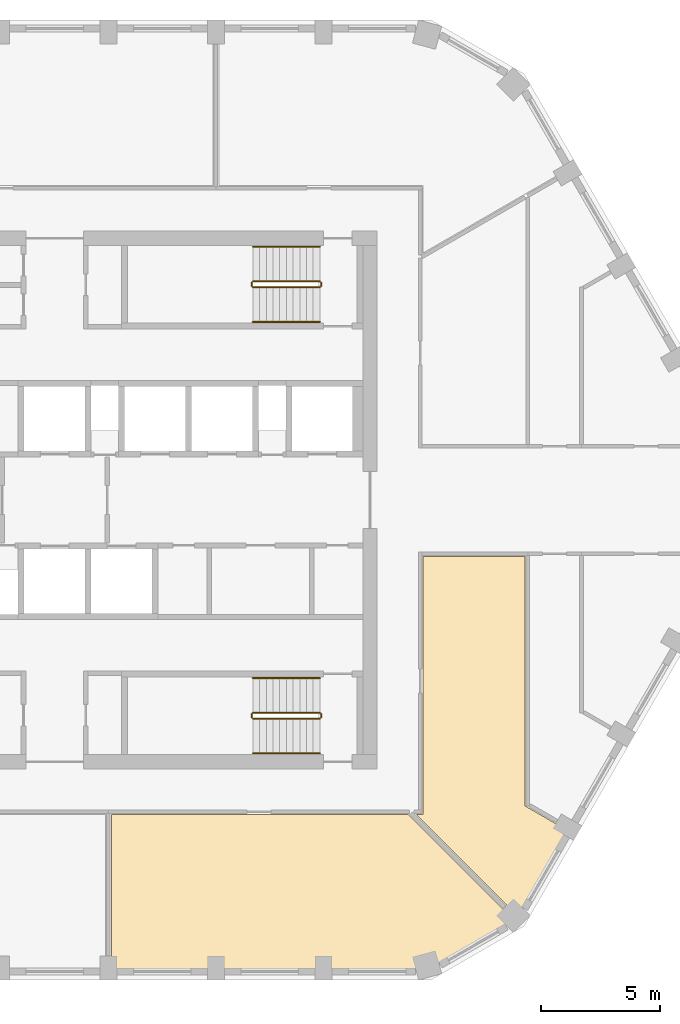
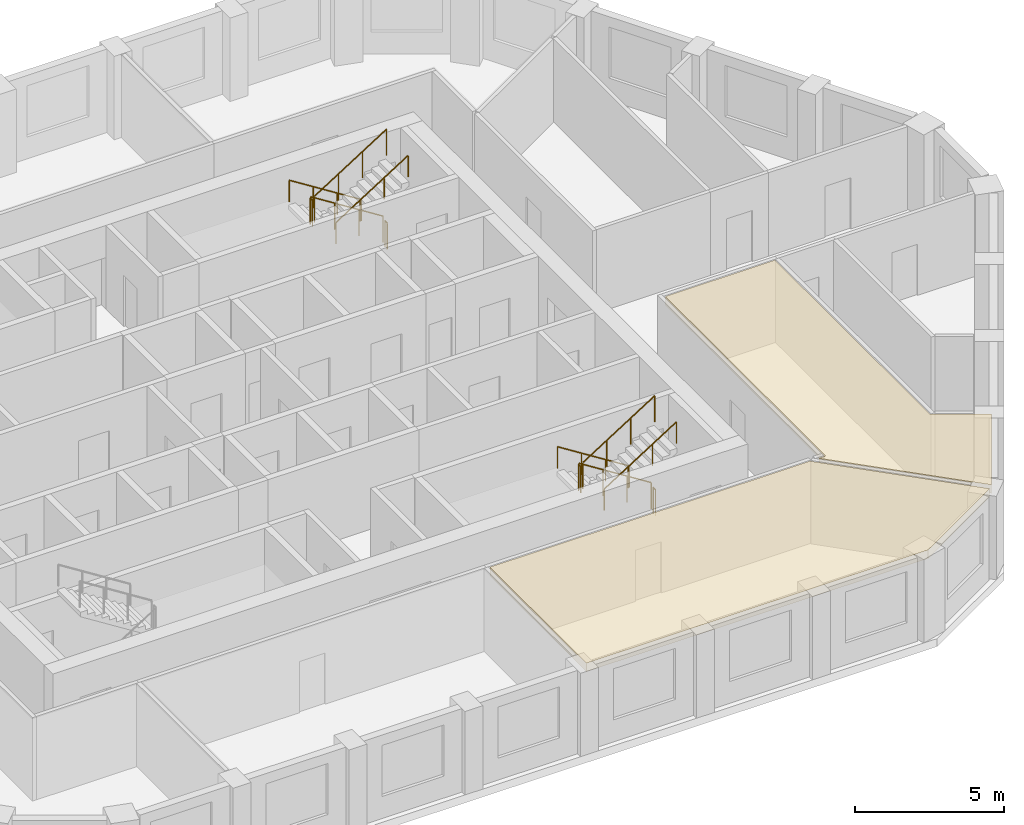
# One storey, part 10 of 11: 12 railings, 2 coverings.
"""IFC4 building model written with IfcOpenShell, lengths in metres."""

from ifc_helpers import new_model, si_unit, direction, frame, origin, origin_2d, place, context, subcontext, project, spatial, polyline, circle, outline, extrude, material, layer, layer_set, type_object, element, save


model = new_model("IFC4")

# Units and contexts
model_context = context("Model", 3, precision=1e-05, world=origin(), true_north=direction((0.0, 1.0)))
body_context = subcontext(model_context, "Body", "Model", "MODEL_VIEW")
ifc_project = project(units=[si_unit("LENGTHUNIT", "METRE"), si_unit("AREAUNIT", "SQUARE_METRE"), si_unit("VOLUMEUNIT", "CUBIC_METRE"), si_unit("PLANEANGLEUNIT", "RADIAN"), si_unit("MASSUNIT", "GRAM", prefix="KILO")], contexts=[model_context])

# Site, building, storey
site_placement = place(None, origin())
site = spatial("IfcSite", under=ifc_project, at=site_placement, CompositionType="ELEMENT")
building_placement = place(site_placement, origin())
building = spatial("IfcBuilding", under=site, at=building_placement, Name="Dhurran Vertical Campus", CompositionType="ELEMENT")
storey_placement = place(building_placement, frame((0.0, 0.0, 278.10009765625)))
storey = spatial("IfcBuildingStorey", under=building, at=storey_placement, Name="L69", CompositionType="ELEMENT", Elevation=278.10009765625)

# Railings
ifc_material_1 = material(Name="Stainless steel balustrade", Category="steel")
railing_type_1 = type_object("IfcRailingType", Name="co-RL-GUARD-1100", PredefinedType="GUARDRAIL", material=ifc_material_1)
railing_1_placement = place(storey_placement, frame((11.10009765625, 9.14990234375, 0.17724609375)))
element("IfcRailing", 1, at=railing_1_placement, inside=storey, type_object=railing_type_1, Name="L69 ST2 stair guard 1", PredefinedType="GUARDRAIL", context=body_context, shape_type="SweptSolid", body=[
    extrude(circle(Radius=0.02392578125, at=origin_2d()), frame((0.0, 0.0, 1.076171875), z_axis=(-0.844908973607, 0.0, 0.534910110503), x_axis=(0.0, -1.0, 0.0)), (0.0, 0.0, 1.0), 3.31396484375),
    extrude(circle(Radius=0.02099609375, at=origin_2d()), origin(), (0.0, 0.0, 1.0), 1.052001953125),
    extrude(circle(Radius=0.02099609375, at=origin_2d()), frame((-0.933349609375, 0.0, 0.5908203125)), (0.0, 0.0, 1.0), 1.052001953125),
    extrude(circle(Radius=0.02099609375, at=origin_2d()), frame((-1.86669921875, 0.0, 1.181884765625)), (0.0, 0.0, 1.0), 1.052001953125),
    extrude(circle(Radius=0.02099609375, at=origin_2d()), frame((-2.800048828125, 0.0, 1.772705078125)), (0.0, 0.0, 1.0), 1.052001953125),
])
railing_2_placement = place(storey_placement, frame((8.25, 9.10009765625, 1.949951171875)))
element("IfcRailing", 2, at=railing_2_placement, inside=storey, type_object=railing_type_1, Name="L69 ST2 stair guard 2", PredefinedType="GUARDRAIL", context=body_context, shape_type="SweptSolid", body=[
    extrude(circle(Radius=0.02392578125, at=origin_2d()), frame((0.0, 0.0, 1.076171875), z_axis=(0.0, -1.0, 0.0), x_axis=(1.0, 0.0, 0.0)), (0.0, 0.0, 1.0), 0.150146484375),
    extrude(circle(Radius=0.02099609375, at=origin_2d()), origin(), (0.0, 0.0, 1.0), 1.052001953125),
    extrude(circle(Radius=0.02099609375, at=origin_2d()), frame((0.0, -0.150146484375, 0.0)), (0.0, 0.0, 1.0), 1.052001953125),
])
railing_3_placement = place(storey_placement, frame((8.300048828125, 8.89990234375, 2.127197265625)))
element("IfcRailing", 3, at=railing_3_placement, inside=storey, type_object=railing_type_1, Name="L69 ST2 stair guard 3", PredefinedType="GUARDRAIL", context=body_context, shape_type="SweptSolid", body=[
    extrude(circle(Radius=0.02392578125, at=origin_2d()), frame((0.0, 0.0, 1.076171875), z_axis=(0.844908973607, 0.0, 0.534910110503), x_axis=(0.0, 1.0, 0.0)), (0.0, 0.0, 1.0), 3.31396484375),
    extrude(circle(Radius=0.02099609375, at=origin_2d()), origin(), (0.0, 0.0, 1.0), 1.052001953125),
    extrude(circle(Radius=0.02099609375, at=origin_2d()), frame((0.933349609375, 0.0, 0.5908203125)), (0.0, 0.0, 1.0), 1.052001953125),
    extrude(circle(Radius=0.02099609375, at=origin_2d()), frame((1.86669921875, 0.0, 1.181884765625)), (0.0, 0.0, 1.0), 1.052001953125),
    extrude(circle(Radius=0.02099609375, at=origin_2d()), frame((2.800048828125, 0.0, 1.772705078125)), (0.0, 0.0, 1.0), 1.052001953125),
])
railing_4_placement = place(storey_placement, frame((11.14990234375, 9.10009765625, 0.0)))
element("IfcRailing", 4, at=railing_4_placement, inside=storey, type_object=railing_type_1, Name="L69 ST2 stair guard 4", PredefinedType="GUARDRAIL", context=body_context, shape_type="SweptSolid", body=[
    extrude(circle(Radius=0.02392578125, at=origin_2d()), frame((0.0, 0.0, 1.076171875), z_axis=(0.0, -1.0, 0.0), x_axis=(1.0, 0.0, 0.0)), (0.0, 0.0, 1.0), 0.150146484375),
    extrude(circle(Radius=0.02099609375, at=origin_2d()), origin(), (0.0, 0.0, 1.0), 1.052001953125),
    extrude(circle(Radius=0.02099609375, at=origin_2d()), frame((0.0, -0.150146484375, 0.0)), (0.0, 0.0, 1.0), 1.052001953125),
])
railing_5_placement = place(storey_placement, frame((11.10009765625, -8.89990234375, 0.17724609375)))
element("IfcRailing", 5, at=railing_5_placement, inside=storey, type_object=railing_type_1, Name="L69 ST4 stair guard 1", PredefinedType="GUARDRAIL", context=body_context, shape_type="SweptSolid", body=[
    extrude(circle(Radius=0.02392578125, at=origin_2d()), frame((0.0, 0.0, 1.076171875), z_axis=(-0.844908973607, 0.0, 0.534910110503), x_axis=(0.0, -1.0, 0.0)), (0.0, 0.0, 1.0), 3.31396484375),
    extrude(circle(Radius=0.02099609375, at=origin_2d()), origin(), (0.0, 0.0, 1.0), 1.052001953125),
    extrude(circle(Radius=0.02099609375, at=origin_2d()), frame((-0.933349609375, 0.0, 0.5908203125)), (0.0, 0.0, 1.0), 1.052001953125),
    extrude(circle(Radius=0.02099609375, at=origin_2d()), frame((-1.86669921875, 0.0, 1.181884765625)), (0.0, 0.0, 1.0), 1.052001953125),
    extrude(circle(Radius=0.02099609375, at=origin_2d()), frame((-2.800048828125, 0.0, 1.772705078125)), (0.0, 0.0, 1.0), 1.052001953125),
])
railing_6_placement = place(storey_placement, frame((8.25, -8.949951171875, 1.949951171875)))
element("IfcRailing", 6, at=railing_6_placement, inside=storey, type_object=railing_type_1, Name="L69 ST4 stair guard 2", PredefinedType="GUARDRAIL", context=body_context, shape_type="SweptSolid", body=[
    extrude(circle(Radius=0.02392578125, at=origin_2d()), frame((0.0, 0.0, 1.076171875), z_axis=(0.0, -1.0, 0.0), x_axis=(1.0, 0.0, 0.0)), (0.0, 0.0, 1.0), 0.150146484375),
    extrude(circle(Radius=0.02099609375, at=origin_2d()), origin(), (0.0, 0.0, 1.0), 1.052001953125),
    extrude(circle(Radius=0.02099609375, at=origin_2d()), frame((0.0, -0.150146484375, 0.0)), (0.0, 0.0, 1.0), 1.052001953125),
])
railing_7_placement = place(storey_placement, frame((8.300048828125, -9.14990234375, 2.127197265625)))
element("IfcRailing", 7, at=railing_7_placement, inside=storey, type_object=railing_type_1, Name="L69 ST4 stair guard 3", PredefinedType="GUARDRAIL", context=body_context, shape_type="SweptSolid", body=[
    extrude(circle(Radius=0.02392578125, at=origin_2d()), frame((0.0, 0.0, 1.076171875), z_axis=(0.844908973607, 0.0, 0.534910110503), x_axis=(0.0, 1.0, 0.0)), (0.0, 0.0, 1.0), 3.31396484375),
    extrude(circle(Radius=0.02099609375, at=origin_2d()), origin(), (0.0, 0.0, 1.0), 1.052001953125),
    extrude(circle(Radius=0.02099609375, at=origin_2d()), frame((0.933349609375, 0.0, 0.5908203125)), (0.0, 0.0, 1.0), 1.052001953125),
    extrude(circle(Radius=0.02099609375, at=origin_2d()), frame((1.86669921875, 0.0, 1.181884765625)), (0.0, 0.0, 1.0), 1.052001953125),
    extrude(circle(Radius=0.02099609375, at=origin_2d()), frame((2.800048828125, 0.0, 1.772705078125)), (0.0, 0.0, 1.0), 1.052001953125),
])
railing_8_placement = place(storey_placement, frame((11.14990234375, -8.949951171875, 0.0)))
element("IfcRailing", 8, at=railing_8_placement, inside=storey, type_object=railing_type_1, Name="L69 ST4 stair guard 4", PredefinedType="GUARDRAIL", context=body_context, shape_type="SweptSolid", body=[
    extrude(circle(Radius=0.02392578125, at=origin_2d()), frame((0.0, 0.0, 1.076171875), z_axis=(0.0, -1.0, 0.0), x_axis=(1.0, 0.0, 0.0)), (0.0, 0.0, 1.0), 0.150146484375),
    extrude(circle(Radius=0.02099609375, at=origin_2d()), origin(), (0.0, 0.0, 1.0), 1.052001953125),
    extrude(circle(Radius=0.02099609375, at=origin_2d()), frame((0.0, -0.150146484375, 0.0)), (0.0, 0.0, 1.0), 1.052001953125),
])
ifc_material_2 = material(Name="Stainless steel handrail", Category="steel")
railing_type_2 = type_object("IfcRailingType", Name="co-RL-HANDRAIL-900", PredefinedType="HANDRAIL", material=ifc_material_2)
railing_9_placement = place(storey_placement, frame((11.10009765625, 10.60009765625, 0.17724609375)))
element("IfcRailing", 9, at=railing_9_placement, inside=storey, type_object=railing_type_2, Name="L69 ST2 stair handrail 1", PredefinedType="HANDRAIL", context=body_context, shape_type="SweptSolid", body=[
    extrude(circle(Radius=0.02392578125, at=origin_2d()), frame((0.0, 0.0, 0.8759765625), z_axis=(-0.844908973607, 0.0, 0.534910110503), x_axis=(0.0, -1.0, 0.0)), (0.0, 0.0, 1.0), 3.31396484375),
    extrude(circle(Radius=0.02099609375, at=origin_2d()), origin(), (0.0, 0.0, 1.0), 0.851806640625),
    extrude(circle(Radius=0.02099609375, at=origin_2d()), frame((-0.933349609375, 0.0, 0.5908203125)), (0.0, 0.0, 1.0), 0.851806640625),
    extrude(circle(Radius=0.02099609375, at=origin_2d()), frame((-1.86669921875, 0.0, 1.181884765625)), (0.0, 0.0, 1.0), 0.851806640625),
    extrude(circle(Radius=0.02099609375, at=origin_2d()), frame((-2.800048828125, 0.0, 1.772705078125)), (0.0, 0.0, 1.0), 0.851806640625),
])
railing_10_placement = place(storey_placement, frame((8.300048828125, 7.449951171875, 2.127197265625)))
element("IfcRailing", 10, at=railing_10_placement, inside=storey, type_object=railing_type_2, Name="L69 ST2 stair handrail 2", PredefinedType="HANDRAIL", context=body_context, shape_type="SweptSolid", body=[
    extrude(circle(Radius=0.02392578125, at=origin_2d()), frame((0.0, 0.0, 0.8759765625), z_axis=(0.844908973607, 0.0, 0.534910110503), x_axis=(0.0, 1.0, 0.0)), (0.0, 0.0, 1.0), 3.31396484375),
    extrude(circle(Radius=0.02099609375, at=origin_2d()), origin(), (0.0, 0.0, 1.0), 0.851806640625),
    extrude(circle(Radius=0.02099609375, at=origin_2d()), frame((0.933349609375, 0.0, 0.5908203125)), (0.0, 0.0, 1.0), 0.851806640625),
    extrude(circle(Radius=0.02099609375, at=origin_2d()), frame((1.86669921875, 0.0, 1.181884765625)), (0.0, 0.0, 1.0), 0.851806640625),
    extrude(circle(Radius=0.02099609375, at=origin_2d()), frame((2.800048828125, 0.0, 1.772705078125)), (0.0, 0.0, 1.0), 0.851806640625),
])
railing_11_placement = place(storey_placement, frame((11.10009765625, -7.449951171875, 0.17724609375)))
element("IfcRailing", 11, at=railing_11_placement, inside=storey, type_object=railing_type_2, Name="L69 ST4 stair handrail 1", PredefinedType="HANDRAIL", context=body_context, shape_type="SweptSolid", body=[
    extrude(circle(Radius=0.02392578125, at=origin_2d()), frame((0.0, 0.0, 0.8759765625), z_axis=(-0.844908973607, 0.0, 0.534910110503), x_axis=(0.0, -1.0, 0.0)), (0.0, 0.0, 1.0), 3.31396484375),
    extrude(circle(Radius=0.02099609375, at=origin_2d()), origin(), (0.0, 0.0, 1.0), 0.851806640625),
    extrude(circle(Radius=0.02099609375, at=origin_2d()), frame((-0.933349609375, 0.0, 0.5908203125)), (0.0, 0.0, 1.0), 0.851806640625),
    extrude(circle(Radius=0.02099609375, at=origin_2d()), frame((-1.86669921875, 0.0, 1.181884765625)), (0.0, 0.0, 1.0), 0.851806640625),
    extrude(circle(Radius=0.02099609375, at=origin_2d()), frame((-2.800048828125, 0.0, 1.772705078125)), (0.0, 0.0, 1.0), 0.851806640625),
])
railing_12_placement = place(storey_placement, frame((8.300048828125, -10.60009765625, 2.127197265625)))
element("IfcRailing", 12, at=railing_12_placement, inside=storey, type_object=railing_type_2, Name="L69 ST4 stair handrail 2", PredefinedType="HANDRAIL", context=body_context, shape_type="SweptSolid", body=[
    extrude(circle(Radius=0.02392578125, at=origin_2d()), frame((0.0, 0.0, 0.8759765625), z_axis=(0.844908973607, 0.0, 0.534910110503), x_axis=(0.0, 1.0, 0.0)), (0.0, 0.0, 1.0), 3.31396484375),
    extrude(circle(Radius=0.02099609375, at=origin_2d()), origin(), (0.0, 0.0, 1.0), 0.851806640625),
    extrude(circle(Radius=0.02099609375, at=origin_2d()), frame((0.933349609375, 0.0, 0.5908203125)), (0.0, 0.0, 1.0), 0.851806640625),
    extrude(circle(Radius=0.02099609375, at=origin_2d()), frame((1.86669921875, 0.0, 1.181884765625)), (0.0, 0.0, 1.0), 0.851806640625),
    extrude(circle(Radius=0.02099609375, at=origin_2d()), frame((2.800048828125, 0.0, 1.772705078125)), (0.0, 0.0, 1.0), 0.851806640625),
])

# Coverings
ifc_material_3 = material(Name="Mineral fibre ceiling tiles on suspended grid")
ifc_layer = layer(ifc_material_3, 0.35009765625)
ifc_layer_set = layer_set([ifc_layer], Name="Mineral fibre ceiling tiles on suspended grid")
covering_type = type_object("IfcCoveringType", Name="fl-CE-350 suspended ceiling", PredefinedType="CEILING", material=ifc_layer_set)
covering_1_placement = place(storey_placement, frame((0.0, 0.0, 3.074951171875)))
element("IfcCovering", 13, at=covering_1_placement, inside=storey, type_object=covering_type, Name="Ceiling 69-11", PredefinedType="CEILING", context=body_context, shape_type="SweptSolid", body=[
    extrude(outline(polyline([(19.23193359375, -17.593017578125), (15.637939453125, -19.66796875), (2.3701171875, -19.66796875), (2.3701171875, -13.169921875), (14.80908203125, -13.169921875), (19.23193359375, -17.593017578125)])), origin(), (0.0, 0.0, 1.0), 0.349853515625),
])
covering_2_placement = place(storey_placement, frame((0.0, 0.0, 3.074951171875)))
element("IfcCovering", 14, at=covering_2_placement, inside=storey, type_object=covering_type, Name="Ceiling 69-14", PredefinedType="CEILING", context=body_context, shape_type="SweptSolid", body=[
    extrude(outline(polyline([(19.696044921875, -16.9130859375), (19.40087890625, -17.424072265625), (15.14892578125, -13.169921875), (15.419921875, -13.169921875), (15.419921875, -2.3701171875), (19.679931640625, -2.3701171875), (19.679931640625, -12.800048828125), (21.472900390625, -13.8349609375), (19.696044921875, -16.9130859375)])), origin(), (0.0, 0.0, 1.0), 0.349853515625),
])

save(model, "model.ifc")
